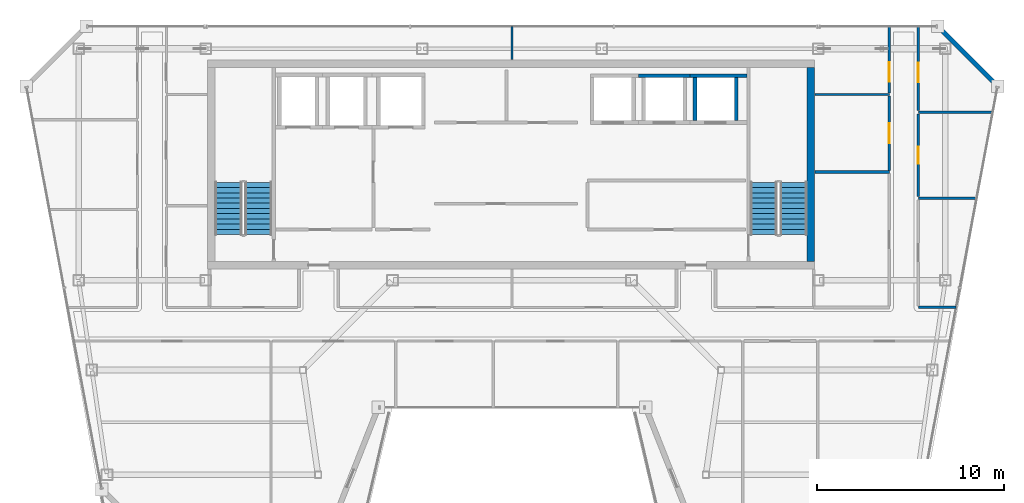
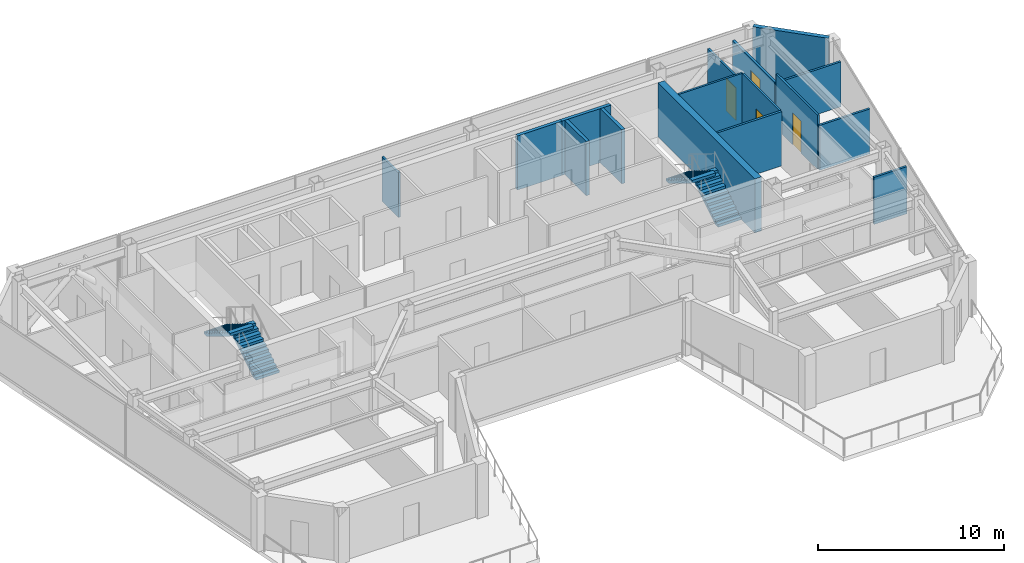
# One storey, part 21 of 25: 16 walls, 4 doors, 4 stair flights, 4 openings, 2 elements without a shape of their own.
"""IFC4 building model written with IfcOpenShell, lengths in metres."""

from ifc_helpers import new_model, si_unit, direction, frame, frame_2d, origin, place, context, subcontext, project, spatial, polyline, rectangle, outline, extrude, material, layer, layer_set, type_object, element, fill, aggregate, save


model = new_model("IFC4")

# Units and contexts
model_context = context("Model", 3, precision=1e-05, world=origin(), true_north=direction((0.0, 1.0)))
body_context = subcontext(model_context, "Body", "Model", "MODEL_VIEW")
ifc_project = project(units=[si_unit("LENGTHUNIT", "METRE"), si_unit("AREAUNIT", "SQUARE_METRE"), si_unit("VOLUMEUNIT", "CUBIC_METRE"), si_unit("PLANEANGLEUNIT", "RADIAN"), si_unit("MASSUNIT", "GRAM", prefix="KILO")], contexts=[model_context])

# Site, building, storey
site_placement = place(None, origin())
site = spatial("IfcSite", under=ifc_project, at=site_placement, CompositionType="ELEMENT")
building_placement = place(site_placement, origin())
building = spatial("IfcBuilding", under=site, at=building_placement, Name="Saevonmaru Cultural Tower", CompositionType="ELEMENT")
storey_placement = place(building_placement, frame((0.0, 0.0, 276.199951171875)))
storey = spatial("IfcBuildingStorey", under=building, at=storey_placement, Name="L65", CompositionType="ELEMENT", Elevation=276.199951171875)

# Walls
ifc_material_1 = material(Name="Concrete C50/60", Category="concrete")
ifc_layer_1 = layer(ifc_material_1, 0.39990234375, Name="Concrete C50/60")
ifc_layer_set_1 = layer_set([ifc_layer_1], Name="Concrete C50/60")
wall_type_1 = type_object("IfcWallType", Name="WL-CORE-400", PredefinedType="SHEAR", material=ifc_layer_set_1)
wall_1_placement = place(storey_placement, frame((46.0, 43.39990234375, 0.0), z_axis=(0.0, 0.0, 1.0), x_axis=(0.0, 1.0, 0.0)))
element("IfcWall", 1, at=wall_1_placement, inside=storey, type_object=wall_type_1, Name="L65 Tower RC core shear wall E", PredefinedType="SHEAR", context=body_context, shape_type="SweptSolid", body=[
    extrude(rectangle(XDim=10.400146484375, YDim=0.39990234375, at=frame_2d((5.2001953125, 0.0))), origin(), (0.0, 0.0, 1.0), 3.550048828125),
])
ifc_material_2 = material(Name="Granite-Clad Precast Concrete C40/50", Category="masonry")
ifc_layer_2 = layer(ifc_material_2, 0.260009765625, Name="Granite-Clad Precast Concrete C40/50")
ifc_layer_set_2 = layer_set([ifc_layer_2], Name="Granite-Clad Precast Concrete C40/50")
wall_type_2 = type_object("IfcWallType", Name="WL-EXT-SPANDREL-260", PredefinedType="STANDARD", material=ifc_layer_set_2)
wall_2_placement = place(storey_placement, frame((55.886962890625, 52.9130859375, 0.0), z_axis=(0.0, 0.0, 1.0), x_axis=(-0.707106781187, 0.707106781187, 0.0)))
element("IfcWall", 2, at=wall_2_placement, inside=storey, type_object=wall_type_2, Name="L65 Chamfer Corner Spandrel Wall E9", PredefinedType="STANDARD", context=body_context, shape_type="SweptSolid", body=[
    extrude(rectangle(XDim=4.205810546875, YDim=0.260009765625, at=frame_2d((2.10302734375, 0.0))), origin(), (0.0, 0.0, 1.0), 3.550048828125),
])

# Wall, opening, door
ifc_material_3 = material(Name="Gypsum Fireboard Partition", Category="gypsum")
ifc_layer_3 = layer(ifc_material_3, 0.14990234375, Name="Gypsum Fireboard Partition")
ifc_layer_set_3 = layer_set([ifc_layer_3], Name="Gypsum Fireboard Partition")
wall_type_3 = type_object("IfcWallType", Name="WL-PART-FIRE-150", PredefinedType="PARTITIONING", material=ifc_layer_set_3)
wall_3_placement = place(storey_placement, frame((51.75, 51.487548828125, 0.0), z_axis=(0.0, 0.0, 1.0), x_axis=(0.0, 1.0, 0.0)))
wall_3 = element("IfcWall", 3, at=wall_3_placement, inside=storey, type_object=wall_type_3, Name="L65 East Asian Ceramics Gallery Corridor Wall", PredefinedType="PARTITIONING", context=body_context, shape_type="SweptSolid", body=[
    extrude(rectangle(XDim=4.507568359375, YDim=0.14990234375, at=frame_2d((2.25390625, 0.0))), origin(), (0.0, 0.0, 1.0), 2.93505859375),
])
opening_1_placement = place(wall_3_placement, frame((1.509033203125, 0.0, 0.0)))
opening_1 = element("IfcOpeningElement", 4, at=opening_1_placement, cuts=wall_3, Name="Opening ID-1", PredefinedType="OPENING", context=body_context, shape_type="SweptSolid", body=[
    extrude(rectangle(XDim=1.050048828125, YDim=2.14990234375, at=frame_2d((0.52490234375, 1.074951171875))), frame((0.0, 0.0849609375, 0.0), z_axis=(0.0, -1.0, 0.0), x_axis=(1.0, 0.0, 0.0)), (0.0, 0.0, 1.0), 0.169921875),
])
ifc_material_4 = material(Name="Satin Bronze Anodised Aluminium", Category="aluminium")
door_type_1 = type_object("IfcDoorType", Name="DR-INT-1050", OperationType="SINGLE_SWING_LEFT", PredefinedType="DOOR", material=ifc_material_4)
door_1_placement = place(opening_1_placement, origin())
door_1 = element("IfcDoor", 5, at=door_1_placement, inside=storey, type_object=door_type_1, Name="L65 East Asian Ceramics Gallery Door", OperationType="SINGLE_SWING_LEFT", OverallHeight=2.14990234375, OverallWidth=1.050048828125, PredefinedType="DOOR", context=body_context, shape_type="SweptSolid", body=[
    extrude(rectangle(XDim=1.050048828125, YDim=2.14990234375, at=frame_2d((0.52490234375, 1.074951171875))), frame((0.0, 0.02490234375, 0.0), z_axis=(0.0, -1.0, 0.0), x_axis=(1.0, 0.0, 0.0)), (0.0, 0.0, 1.0), 0.050048828125),
])
fill(opening_1, door_1)

# Walls
ifc_layer_4 = layer(ifc_material_3, 0.1201171875, Name="Gypsum Fireboard Partition")
ifc_layer_set_4 = layer_set([ifc_layer_4], Name="Gypsum Fireboard Partition")
wall_type_4 = type_object("IfcWallType", Name="WL-PART-GYP-120", PredefinedType="PARTITIONING", material=ifc_layer_set_4)
wall_4_placement = place(storey_placement, frame((46.219970703125, 52.35009765625, 0.0), z_axis=(0.0, 0.0, 1.0), x_axis=(1.0, 0.0, 0.0)))
element("IfcWall", 6, at=wall_4_placement, inside=storey, type_object=wall_type_4, Name="L65 North-East Panorama South Wall", PredefinedType="PARTITIONING", context=body_context, shape_type="SweptSolid", body=[
    extrude(rectangle(XDim=3.97998046875, YDim=0.1201171875, at=frame_2d((1.989990234375, 0.0))), origin(), (0.0, 0.0, 1.0), 3.550048828125),
])
wall_5_placement = place(storey_placement, frame((30.0, 54.219970703125, 0.0), z_axis=(0.0, 0.0, 1.0), x_axis=(0.0, 1.0, 0.0)))
element("IfcWall", 7, at=wall_5_placement, inside=storey, type_object=wall_type_4, Name="L65 North Panorama Center Split", PredefinedType="PARTITIONING", context=body_context, shape_type="SweptSolid", body=[
    extrude(rectangle(XDim=1.775146484375, YDim=0.1201171875, at=frame_2d((0.8876953125, 0.0))), origin(), (0.0, 0.0, 1.0), 2.93505859375),
])

# Wall, opening, door
wall_6_placement = place(storey_placement, frame((50.199951171875, 48.2900390625, 0.0), z_axis=(0.0, 0.0, 1.0), x_axis=(0.0, 1.0, 0.0)))
wall_6 = element("IfcWall", 8, at=wall_6_placement, inside=storey, type_object=wall_type_4, Name="L65 Rare Folio Reading Room Corridor Wall", PredefinedType="PARTITIONING", context=body_context, shape_type="SweptSolid", body=[
    extrude(rectangle(XDim=3.97998046875, YDim=0.1201171875, at=frame_2d((1.989990234375, 0.0))), origin(), (0.0, 0.0, 1.0), 3.550048828125),
])
opening_2_placement = place(wall_6_placement, frame((1.465087890625, 0.0, 0.0)))
opening_2 = element("IfcOpeningElement", 9, at=opening_2_placement, cuts=wall_6, Name="Opening ID-1", PredefinedType="OPENING", context=body_context, shape_type="SweptSolid", body=[
    extrude(rectangle(XDim=1.050048828125, YDim=2.14990234375, at=frame_2d((0.52490234375, 1.074951171875))), frame((0.0, 0.070068359375, 0.0), z_axis=(0.0, -1.0, 0.0), x_axis=(1.0, 0.0, 0.0)), (0.0, 0.0, 1.0), 0.14013671875),
])
door_2_placement = place(opening_2_placement, origin())
door_2 = element("IfcDoor", 10, at=door_2_placement, inside=storey, type_object=door_type_1, Name="L65 Rare Folio Reading Room Door", OperationType="SINGLE_SWING_LEFT", OverallHeight=2.14990234375, OverallWidth=1.050048828125, PredefinedType="DOOR", context=body_context, shape_type="SweptSolid", body=[
    extrude(rectangle(XDim=1.050048828125, YDim=2.14990234375, at=frame_2d((0.52490234375, 1.074951171875))), frame((0.0, 0.02490234375, 0.0), z_axis=(0.0, -1.0, 0.0), x_axis=(1.0, 0.0, 0.0)), (0.0, 0.0, 1.0), 0.050048828125),
])
fill(opening_2, door_2)

wall_7_placement = place(storey_placement, frame((50.199951171875, 52.429931640625, 0.0), z_axis=(0.0, 0.0, 1.0), x_axis=(0.0, 1.0, 0.0)))
wall_7 = element("IfcWall", 11, at=wall_7_placement, inside=storey, type_object=wall_type_4, Name="L65 Art History Reading Room Corridor Wall", PredefinedType="PARTITIONING", context=body_context, shape_type="SweptSolid", body=[
    extrude(rectangle(XDim=3.565185546875, YDim=0.1201171875, at=frame_2d((1.78271484375, 0.0))), origin(), (0.0, 0.0, 1.0), 2.93505859375),
])
opening_3_placement = place(wall_7_placement, frame((0.596923828125, 0.0, 0.0)))
opening_3 = element("IfcOpeningElement", 12, at=opening_3_placement, cuts=wall_7, Name="Opening ID-1", PredefinedType="OPENING", context=body_context, shape_type="SweptSolid", body=[
    extrude(rectangle(XDim=1.050048828125, YDim=2.14990234375, at=frame_2d((0.52490234375, 1.074951171875))), frame((0.0, 0.070068359375, 0.0), z_axis=(0.0, -1.0, 0.0), x_axis=(1.0, 0.0, 0.0)), (0.0, 0.0, 1.0), 0.14013671875),
])
door_3_placement = place(opening_3_placement, origin())
door_3 = element("IfcDoor", 13, at=door_3_placement, inside=storey, type_object=door_type_1, Name="L65 Art History Reading Room Door", OperationType="SINGLE_SWING_RIGHT", OverallHeight=2.14990234375, OverallWidth=1.050048828125, PredefinedType="DOOR", context=body_context, shape_type="SweptSolid", body=[
    extrude(rectangle(XDim=1.050048828125, YDim=2.14990234375, at=frame_2d((0.52490234375, 1.074951171875))), frame((0.0, 0.02490234375, 0.0), z_axis=(0.0, -1.0, 0.0), x_axis=(1.0, 0.0, 0.0)), (0.0, 0.0, 1.0), 0.050048828125),
])
fill(opening_3, door_3)

wall_8_placement = place(storey_placement, frame((51.75, 46.887451171875, 0.0), z_axis=(0.0, 0.0, 1.0), x_axis=(0.0, 1.0, 0.0)))
wall_8 = element("IfcWall", 14, at=wall_8_placement, inside=storey, type_object=wall_type_4, Name="L65 Curatorial Board Meeting Room Corridor Wall", PredefinedType="PARTITIONING", context=body_context, shape_type="SweptSolid", body=[
    extrude(rectangle(XDim=4.425048828125, YDim=0.1201171875, at=frame_2d((2.21240234375, 0.0))), origin(), (0.0, 0.0, 1.0), 3.550048828125),
])
opening_4_placement = place(wall_8_placement, frame((1.761962890625, 0.0, 0.0)))
opening_4 = element("IfcOpeningElement", 15, at=opening_4_placement, cuts=wall_8, Name="Opening ID-2", PredefinedType="OPENING", context=body_context, shape_type="SweptSolid", body=[
    extrude(rectangle(XDim=0.89990234375, YDim=2.10009765625, at=frame_2d((0.449951171875, 1.050048828125))), frame((0.0, 0.070068359375, 0.0), z_axis=(0.0, -1.0, 0.0), x_axis=(1.0, 0.0, 0.0)), (0.0, 0.0, 1.0), 0.14013671875),
])
ifc_material_5 = material(Name="Acoustic Stained Oak Timber", Category="wood")
door_type_2 = type_object("IfcDoorType", Name="DR-INT-900", OperationType="SINGLE_SWING_RIGHT", PredefinedType="DOOR", material=ifc_material_5)
door_4_placement = place(opening_4_placement, origin())
door_4 = element("IfcDoor", 16, at=door_4_placement, inside=storey, type_object=door_type_2, Name="L65 Curatorial Board Meeting Room Door", OperationType="SINGLE_SWING_RIGHT", OverallHeight=2.10009765625, OverallWidth=0.89990234375, PredefinedType="DOOR", context=body_context, shape_type="SweptSolid", body=[
    extrude(rectangle(XDim=0.89990234375, YDim=2.10009765625, at=frame_2d((0.449951171875, 1.050048828125))), frame((0.0, 0.02490234375, 0.0), z_axis=(0.0, -1.0, 0.0), x_axis=(1.0, 0.0, 0.0)), (0.0, 0.0, 1.0), 0.050048828125),
])
fill(opening_4, door_4)

# Walls
ifc_layer_5 = layer(ifc_material_3, 0.135009765625, Name="Gypsum Fireboard Partition")
ifc_layer_set_5 = layer_set([ifc_layer_5], Name="Gypsum Fireboard Partition")
wall_type_5 = type_object("IfcWallType", Name="WL-PART-GYP-135", PredefinedType="PARTITIONING", material=ifc_layer_set_5)
wall_9_placement = place(storey_placement, frame((51.75, 40.949951171875, 0.0), z_axis=(0.0, 0.0, 1.0), x_axis=(1.0, 0.0, 0.0)))
element("IfcWall", 17, at=wall_9_placement, inside=storey, type_object=wall_type_5, Name="L65 NE Wing South Wall", PredefinedType="PARTITIONING", context=body_context, shape_type="SweptSolid", body=[
    extrude(rectangle(XDim=2.026123046875, YDim=0.135009765625, at=frame_2d((1.01318359375, 0.0))), origin(), (0.0, 0.0, 1.0), 3.0849609375),
])
wall_10_placement = place(storey_placement, frame((51.75, 46.800048828125, 0.0), z_axis=(0.0, 0.0, 1.0), x_axis=(1.0, 0.0, 0.0)))
element("IfcWall", 18, at=wall_10_placement, inside=storey, type_object=wall_type_5, Name="L65 NE Studio Divider 1", PredefinedType="PARTITIONING", context=body_context, shape_type="SweptSolid", body=[
    extrude(rectangle(XDim=3.12158203125, YDim=0.135009765625, at=frame_2d((1.560791015625, 0.0))), origin(), (0.0, 0.0, 1.0), 2.947021484375),
])
wall_11_placement = place(storey_placement, frame((51.75, 51.39990234375, 0.0), z_axis=(0.0, 0.0, 1.0), x_axis=(1.0, 0.0, 0.0)))
element("IfcWall", 19, at=wall_11_placement, inside=storey, type_object=wall_type_5, Name="L65 NE Studio Divider 2", PredefinedType="PARTITIONING", context=body_context, shape_type="SweptSolid", body=[
    extrude(rectangle(XDim=3.98291015625, YDim=0.135009765625, at=frame_2d((1.991455078125, 0.0))), origin(), (0.0, 0.0, 1.0), 2.947021484375),
])
ifc_layer_6 = layer(ifc_material_3, 0.139892578125, Name="Gypsum Fireboard Partition")
ifc_layer_set_6 = layer_set([ifc_layer_6], Name="Gypsum Fireboard Partition")
wall_type_6 = type_object("IfcWallType", Name="WL-PART-WET-140", PredefinedType="PARTITIONING", material=ifc_layer_set_6)
wall_12_placement = place(storey_placement, frame((46.219970703125, 48.199951171875, 0.0), z_axis=(0.0, 0.0, 1.0), x_axis=(1.0, 0.0, 0.0)))
element("IfcWall", 20, at=wall_12_placement, inside=storey, type_object=wall_type_6, Name="L65 Washroom North Wall", PredefinedType="PARTITIONING", context=body_context, shape_type="SweptSolid", body=[
    extrude(rectangle(XDim=3.97998046875, YDim=0.139892578125, at=frame_2d((1.989990234375, 0.0))), origin(), (0.0, 0.0, 1.0), 3.550048828125),
])
ifc_material_6 = material(Name="Concrete C40/50", Category="concrete")
ifc_layer_7 = layer(ifc_material_6, 0.199951171875, Name="Concrete C40/50")
ifc_layer_set_7 = layer_set([ifc_layer_7], Name="Concrete C40/50")
wall_type_7 = type_object("IfcWallType", Name="WL-SHAFT-200", PredefinedType="SHEAR", material=ifc_layer_set_7)
wall_13_placement = place(storey_placement, frame((36.77490234375, 53.35009765625, 0.0), z_axis=(0.0, 0.0, 1.0), x_axis=(1.0, 0.0, 0.0)))
element("IfcWall", 21, at=wall_13_placement, inside=storey, type_object=wall_type_7, Name="L65 Lift PL-H2 Hoistway Wall N", PredefinedType="SHEAR", context=body_context, shape_type="SweptSolid", body=[
    extrude(rectangle(XDim=2.75, YDim=0.199951171875, at=frame_2d((1.375, 0.0))), origin(), (0.0, 0.0, 1.0), 3.550048828125),
])
wall_14_placement = place(storey_placement, frame((39.52490234375, 53.35009765625, 0.0), z_axis=(0.0, 0.0, 1.0), x_axis=(1.0, 0.0, 0.0)))
element("IfcWall", 22, at=wall_14_placement, inside=storey, type_object=wall_type_7, Name="L65 Lift PL-H3 Hoistway Wall N", PredefinedType="SHEAR", context=body_context, shape_type="SweptSolid", body=[
    extrude(rectangle(XDim=3.045166015625, YDim=0.199951171875, at=frame_2d((1.5224609375, 0.0))), origin(), (0.0, 0.0, 1.0), 3.550048828125),
])
for number, where, z_axis, x_axis, name in (
    (23, (39.800048828125, 50.949951171875, 0.0), (0.0, 0.0, 1.0), (0.0, 1.0, 0.0), "L65 Lift PL-H3 Hoistway Wall W"),
    (24, (42.0, 50.949951171875, 0.0), (0.0, 0.0, 1.0), (0.0, 1.0, 0.0), "L65 Lift PL-H3 Hoistway Wall E"),
):
    element("IfcWall", number, at=place(storey_placement, frame(where, z_axis=z_axis, x_axis=x_axis)), inside=storey, type_object=wall_type_7, Name=name, PredefinedType="SHEAR", context=body_context, shape_type="SweptSolid", body=[
        extrude(rectangle(XDim=2.300048828125, YDim=0.199951171875, at=frame_2d((1.14990234375, 0.0))), origin(), (0.0, 0.0, 1.0), 3.550048828125),
    ])

# Stair, stair flights
stair_type = type_object("IfcStairType", Name="STR-DOGLEG-RC", PredefinedType="HALF_TURN_STAIR", material=ifc_material_6)
stair_1_placement = place(storey_placement, origin())
stair_1 = element("IfcStair", 25, at=stair_1_placement, inside=storey, type_object=stair_type, Name="L65 Protected exit stair ST-1", PredefinedType="HALF_TURN_STAIR")
ifc_material_7 = material(Name="Precast concrete C40/50", Category="concrete")
stair_flight_type = type_object("IfcStairFlightType", Name="STF-PRECAST-180", PredefinedType="STRAIGHT", material=ifc_material_7)
stair_flight_1_placement = place(storey_placement, frame((16.425048828125, 44.85009765625, 0.0), z_axis=(0.0, 0.0, 1.0), x_axis=(0.0, 1.0, 0.0)))
stair_flight_1 = element("IfcStairFlight", 26, at=stair_flight_1_placement, type_object=stair_flight_type, Name="ST-1-L65 flight 1", NumberOfRisers=11, NumberOfTreads=10, PredefinedType="STRAIGHT", RiserHeight=0.172727273, TreadLength=0.28, context=body_context, shape_type="SweptSolid", body=[
    extrude(outline(polyline([(0.0, 0.0), (0.0, 0.172607421875), (0.280029296875, 0.172607421875), (0.280029296875, 0.345458984375), (0.56005859375, 0.345458984375), (0.56005859375, 0.51806640625), (0.840087890625, 0.51806640625), (0.840087890625, 0.69091796875), (1.1201171875, 0.69091796875), (1.1201171875, 0.863525390625), (1.39990234375, 0.863525390625), (1.39990234375, 1.036376953125), (1.679931640625, 1.036376953125), (1.679931640625, 1.208984375), (1.9599609375, 1.208984375), (1.9599609375, 1.3818359375), (2.239990234375, 1.3818359375), (2.239990234375, 1.554443359375), (2.52001953125, 1.554443359375), (2.52001953125, 1.727294921875), (2.800048828125, 1.727294921875), (2.800048828125, 1.89990234375), (2.800048828125, 1.551025390625), (0.285400390625, 0.0), (0.0, 0.0)])), frame((0.0, 0.72509765625, 0.0), z_axis=(0.0, -1.0, 0.0), x_axis=(1.0, 0.0, 0.0)), (0.0, 0.0, 1.0), 1.449951171875),
])
stair_flight_2_placement = place(storey_placement, frame((14.824951171875, 47.64990234375, 1.900146484375), z_axis=(0.0, 0.0, 1.0), x_axis=(0.0, -1.0, 0.0)))
stair_flight_2 = element("IfcStairFlight", 27, at=stair_flight_2_placement, type_object=stair_flight_type, Name="ST-1-L65 flight 2", NumberOfRisers=11, NumberOfTreads=10, PredefinedType="STRAIGHT", RiserHeight=0.172727273, TreadLength=0.28, context=body_context, shape_type="SweptSolid", body=[
    extrude(outline(polyline([(0.0, 0.0), (0.0, 0.172607421875), (0.280029296875, 0.172607421875), (0.280029296875, 0.345458984375), (0.56005859375, 0.345458984375), (0.56005859375, 0.51806640625), (0.840087890625, 0.51806640625), (0.840087890625, 0.69091796875), (1.1201171875, 0.69091796875), (1.1201171875, 0.863525390625), (1.39990234375, 0.863525390625), (1.39990234375, 1.036376953125), (1.679931640625, 1.036376953125), (1.679931640625, 1.208984375), (1.9599609375, 1.208984375), (1.9599609375, 1.3818359375), (2.239990234375, 1.3818359375), (2.239990234375, 1.554443359375), (2.52001953125, 1.554443359375), (2.52001953125, 1.727294921875), (2.800048828125, 1.727294921875), (2.800048828125, 1.89990234375), (2.800048828125, 1.551025390625), (0.285400390625, 0.0), (0.0, 0.0)])), frame((0.0, 0.72509765625, 0.0), z_axis=(0.0, -1.0, 0.0), x_axis=(1.0, 0.0, 0.0)), (0.0, 0.0, 1.0), 1.449951171875),
])
aggregate(stair_1, [stair_flight_1, stair_flight_2])

stair_2_placement = place(storey_placement, origin())
stair_2 = element("IfcStair", 28, at=stair_2_placement, inside=storey, type_object=stair_type, Name="L65 Protected exit stair ST-2", PredefinedType="HALF_TURN_STAIR")
stair_flight_3_placement = place(storey_placement, frame((45.074951171875, 44.85009765625, 0.0), z_axis=(0.0, 0.0, 1.0), x_axis=(0.0, 1.0, 0.0)))
stair_flight_3 = element("IfcStairFlight", 29, at=stair_flight_3_placement, type_object=stair_flight_type, Name="ST-2-L65 flight 1", NumberOfRisers=11, NumberOfTreads=10, PredefinedType="STRAIGHT", RiserHeight=0.172727273, TreadLength=0.28, context=body_context, shape_type="SweptSolid", body=[
    extrude(outline(polyline([(0.0, 0.0), (0.0, 0.172607421875), (0.280029296875, 0.172607421875), (0.280029296875, 0.345458984375), (0.56005859375, 0.345458984375), (0.56005859375, 0.51806640625), (0.840087890625, 0.51806640625), (0.840087890625, 0.69091796875), (1.1201171875, 0.69091796875), (1.1201171875, 0.863525390625), (1.39990234375, 0.863525390625), (1.39990234375, 1.036376953125), (1.679931640625, 1.036376953125), (1.679931640625, 1.208984375), (1.9599609375, 1.208984375), (1.9599609375, 1.3818359375), (2.239990234375, 1.3818359375), (2.239990234375, 1.554443359375), (2.52001953125, 1.554443359375), (2.52001953125, 1.727294921875), (2.800048828125, 1.727294921875), (2.800048828125, 1.89990234375), (2.800048828125, 1.551025390625), (0.285400390625, 0.0), (0.0, 0.0)])), frame((0.0, 0.72509765625, 0.0), z_axis=(0.0, -1.0, 0.0), x_axis=(1.0, 0.0, 0.0)), (0.0, 0.0, 1.0), 1.449951171875),
])
stair_flight_4_placement = place(storey_placement, frame((43.47509765625, 47.64990234375, 1.900146484375), z_axis=(0.0, 0.0, 1.0), x_axis=(0.0, -1.0, 0.0)))
stair_flight_4 = element("IfcStairFlight", 30, at=stair_flight_4_placement, type_object=stair_flight_type, Name="ST-2-L65 flight 2", NumberOfRisers=11, NumberOfTreads=10, PredefinedType="STRAIGHT", RiserHeight=0.172727273, TreadLength=0.28, context=body_context, shape_type="SweptSolid", body=[
    extrude(outline(polyline([(0.0, 0.0), (0.0, 0.172607421875), (0.280029296875, 0.172607421875), (0.280029296875, 0.345458984375), (0.56005859375, 0.345458984375), (0.56005859375, 0.51806640625), (0.840087890625, 0.51806640625), (0.840087890625, 0.69091796875), (1.1201171875, 0.69091796875), (1.1201171875, 0.863525390625), (1.39990234375, 0.863525390625), (1.39990234375, 1.036376953125), (1.679931640625, 1.036376953125), (1.679931640625, 1.208984375), (1.9599609375, 1.208984375), (1.9599609375, 1.3818359375), (2.239990234375, 1.3818359375), (2.239990234375, 1.554443359375), (2.52001953125, 1.554443359375), (2.52001953125, 1.727294921875), (2.800048828125, 1.727294921875), (2.800048828125, 1.89990234375), (2.800048828125, 1.551025390625), (0.285400390625, 0.0), (0.0, 0.0)])), frame((0.0, 0.72509765625, 0.0), z_axis=(0.0, -1.0, 0.0), x_axis=(1.0, 0.0, 0.0)), (0.0, 0.0, 1.0), 1.449951171875),
])
aggregate(stair_2, [stair_flight_3, stair_flight_4])

save(model, "model.ifc")
